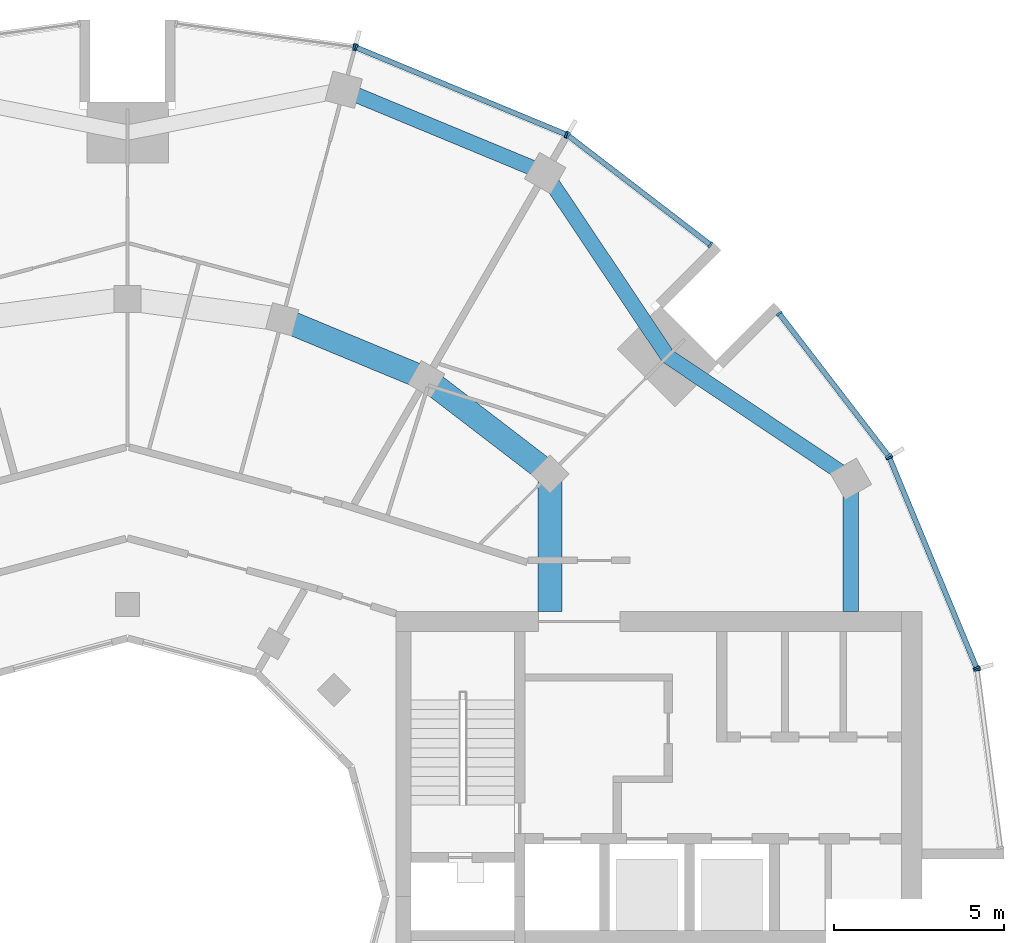
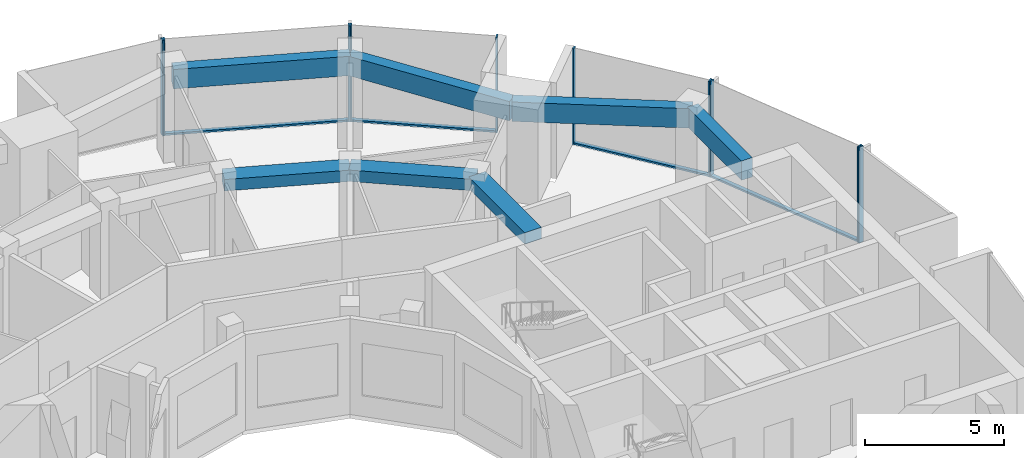
# One storey, part 6 of 15: 14 members, 7 beams, 6 elements without a shape of their own.
"""IFC4 building model written with IfcOpenShell, lengths in metres."""

import ifcopenshell
import ifcopenshell.guid

model = None  # the IFC model being written
_history = None  # IfcOwnerHistory: only IFC2X3 demands one
_inside = {}  # id of a spatial element -> (the spatial element, [elements in it])
_under = {}  # id of a project, library or spatial element -> (it, [spatial elements below it])
_declared = {}  # id of a project -> (the project, [libraries it declares])
_typed = {}  # id of a type object -> (the type object, [elements of that type])
_made_of = {}  # id of a material, layer set ... -> (it, [elements and type objects made of it])


def new_model(schema):
    """Start an empty IFC model of exactly this schema.

    Asked for "IFC4X3", IfcOpenShell would pick the latest addendum, in which some entities
    have other attributes; the version numbers below select the first issue.
    IFC2X3 requires an IfcOwnerHistory on every rooted entity: one is made here for all.
    """
    global model, _history
    if schema == "IFC4X3":
        model = ifcopenshell.file(schema_version=(4, 3, 0, 0))
    else:
        model = ifcopenshell.file(schema=schema)
    _inside.clear()
    _under.clear()
    _declared.clear()
    _typed.clear()
    _made_of.clear()
    _history = None
    if model.schema == "IFC2X3":
        org = make("IfcOrganization", Name="unknown")
        user = make(
            "IfcPersonAndOrganization",
            ThePerson=make("IfcPerson", FamilyName="unknown"),
            TheOrganization=org,
        )
        app = make(
            "IfcApplication",
            ApplicationDeveloper=org,
            Version="unknown",
            ApplicationFullName="unknown",
            ApplicationIdentifier="unknown",
        )
        _history = make(
            "IfcOwnerHistory",
            OwningUser=user,
            OwningApplication=app,
            ChangeAction="ADDED",
            CreationDate=0,
        )
    return model


def make(cls, **values):
    """One entity of the class cls with the attributes given. An attribute that is None is left unset."""
    return model.create_entity(
        cls, **{name: value for name, value in values.items() if value is not None}
    )


def rooted(cls, **values):
    """An entity with a GlobalId (a new one), such as an element, a storey or a relation."""
    return make(cls, GlobalId=ifcopenshell.guid.new(), OwnerHistory=_history, **values)


def si_unit(unit_type, name, prefix=None):
    """IfcSIUnit, for example si_unit("LENGTHUNIT", "METRE", prefix="MILLI")."""
    return make("IfcSIUnit", UnitType=unit_type, Prefix=prefix, Name=name)


def assignment(units):
    """IfcUnitAssignment: the units of a project."""
    return None if units is None else make("IfcUnitAssignment", Units=units)


def point(xyz):
    """IfcCartesianPoint."""
    return None if xyz is None else make("IfcCartesianPoint", Coordinates=xyz)


def direction(xyz):
    """IfcDirection."""
    return None if xyz is None else make("IfcDirection", DirectionRatios=xyz)


def frame(location, z_axis=None, x_axis=None):
    """IfcAxis2Placement3D, a coordinate frame: its origin and axes. An axis left out is left unset."""
    return make(
        "IfcAxis2Placement3D",
        Location=point(location),
        Axis=direction(z_axis),
        RefDirection=direction(x_axis),
    )


def frame_2d(location, x_axis=None):
    """IfcAxis2Placement2D, a coordinate frame in the plane: its origin and x axis."""
    return make(
        "IfcAxis2Placement2D", Location=point(location), RefDirection=direction(x_axis)
    )


def origin():
    """The frame at (0, 0, 0) with its axes left unset."""
    return frame((0.0, 0.0, 0.0))


def origin_2d():
    """The frame at (0, 0) in the plane with its x axis left unset."""
    return frame_2d((0.0, 0.0))


def place(relative_to, where):
    """IfcLocalPlacement: puts the frame where relative to a parent placement (None: the world)."""
    return make(
        "IfcLocalPlacement", PlacementRelTo=relative_to, RelativePlacement=where
    )


def context(
    kind, dimensions, precision=None, world=None, true_north=None, identifier=None
):
    """IfcGeometricRepresentationContext, for example the 3D "Model" context."""
    return make(
        "IfcGeometricRepresentationContext",
        ContextIdentifier=identifier,
        ContextType=kind,
        CoordinateSpaceDimension=dimensions,
        Precision=precision,
        WorldCoordinateSystem=world,
        TrueNorth=true_north,
    )


def subcontext(parent, identifier, kind, view, scale=None):
    """IfcGeometricRepresentationSubContext, for example "Body" below "Model"."""
    return make(
        "IfcGeometricRepresentationSubContext",
        ContextIdentifier=identifier,
        ContextType=kind,
        ParentContext=parent,
        TargetScale=scale,
        TargetView=view,
    )


def project(units=None, contexts=None):
    """IfcProject with its units and contexts."""
    return rooted(
        "IfcProject",
        Name="project",
        RepresentationContexts=contexts,
        UnitsInContext=assignment(units),
    )


def spatial(cls, under=None, at=None, **own):
    """A site, building, storey or space (cls), placed at a placement, below another one or the project."""
    s = rooted(cls, ObjectPlacement=at, **own)
    if under is not None:
        _under.setdefault(under.id(), (under, []))[1].append(s)
    return s


def profile(cls, at=None, kind="AREA", **sizes):
    """A parametric profile (cls). Its sizes go by their IFC names, for example OverallWidth=200.0."""
    return make(cls, ProfileType=kind, Position=at, **sizes)


def rectangle(**sizes):
    """IfcRectangleProfileDef."""
    return profile("IfcRectangleProfileDef", **sizes)


def extrude(swept, where, along, depth):
    """IfcExtrudedAreaSolid: the profile swept, set in the frame where, extruded along a direction by depth."""
    return make(
        "IfcExtrudedAreaSolid",
        SweptArea=swept,
        Position=where,
        ExtrudedDirection=direction(along),
        Depth=depth,
    )


def shape(context_of_items, identifier, shape_type, items):
    """IfcShapeRepresentation: the items that make up one representation, for example the "Body"."""
    return make(
        "IfcShapeRepresentation",
        ContextOfItems=context_of_items,
        RepresentationIdentifier=identifier,
        RepresentationType=shape_type,
        Items=items,
    )


def material(Name=None, Category=None):
    """IfcMaterial."""
    return make("IfcMaterial", Name=Name, Category=Category)


def layer(
    of_material, thickness, ventilated=None, Name=None, Category=None, Priority=None
):
    """IfcMaterialLayer: one layer of a wall or slab, of a material (None: an air gap)."""
    return make(
        "IfcMaterialLayer",
        Material=of_material,
        LayerThickness=thickness,
        IsVentilated=ventilated,
        Name=Name,
        Category=Category,
        Priority=Priority,
    )


def layer_set(layers, Name=None):
    """IfcMaterialLayerSet."""
    return make("IfcMaterialLayerSet", MaterialLayers=layers, LayerSetName=Name)


def material_profile(
    of_material, cross_section, Name=None, Category=None, Priority=None
):
    """IfcMaterialProfile: a cross section and its material."""
    return make(
        "IfcMaterialProfile",
        Name=Name,
        Material=of_material,
        Profile=cross_section,
        Priority=Priority,
        Category=Category,
    )


def profile_set(profiles, Name=None, composite=None):
    """IfcMaterialProfileSet."""
    return make(
        "IfcMaterialProfileSet",
        Name=Name,
        MaterialProfiles=profiles,
        CompositeProfile=composite,
    )


def made_of(thing, what):
    """Note that an element or type object is made of a material, layer set ...; save() writes the relation."""
    if what is not None:
        _made_of.setdefault(what.id(), (what, []))[1].append(thing)
    return thing


def type_object(cls, material=None, **own):
    """A type object (cls), such as IfcWallType, which elements share."""
    return made_of(rooted(cls, **own), material)


def element(
    cls,
    number,
    at=None,
    inside=None,
    cuts=None,
    type_object=None,
    material=None,
    context=None,
    identifier="Body",
    shape_type=None,
    held_by="IfcProductDefinitionShape",
    body=None,
    shapes=None,
    **own,
):
    """One element of the class cls, such as IfcWall. Its Tag is "e" and its number.

    at: its placement. inside: the storey or other place that contains it. cuts: it is an
    opening in that element (IfcRelVoidsElement). A single representation is given by context,
    identifier, shape_type and body (its items); several are given by shapes. held_by: the class
    of the entity that holds the representations. save() writes the other relations.
    """
    e = rooted(cls, Tag="e%d" % number, ObjectPlacement=at, **own)
    if body is not None:
        shapes = [shape(context, identifier, shape_type, body)]
    if shapes is not None:
        e.Representation = make(held_by, Representations=shapes)
    if inside is not None:
        _inside.setdefault(inside.id(), (inside, []))[1].append(e)
    if cuts is not None:
        rooted(
            "IfcRelVoidsElement", RelatingBuildingElement=cuts, RelatedOpeningElement=e
        )
    if type_object is not None:
        _typed.setdefault(type_object.id(), (type_object, []))[1].append(e)
    return made_of(e, material)


def aggregate(whole, parts):
    """IfcRelAggregates: a whole, such as a stair, and the parts it consists of."""
    return rooted("IfcRelAggregates", RelatingObject=whole, RelatedObjects=parts)


def save(model, path):
    """Write the relations noted so far, then the file.

    IfcRelAggregates (storeys below a building ...), IfcRelContainedInSpatialStructure (elements
    in a storey), IfcRelDefinesByType, IfcRelAssociatesMaterial and IfcRelDeclares: one each for
    every whole, place, type object, material and project.
    """
    for whole, parts in _under.values():
        aggregate(whole, parts)
    for where, things in _inside.values():
        rooted(
            "IfcRelContainedInSpatialStructure",
            RelatedElements=things,
            RelatingStructure=where,
        )
    for kind, things in _typed.values():
        rooted("IfcRelDefinesByType", RelatedObjects=things, RelatingType=kind)
    for what, things in _made_of.values():
        rooted("IfcRelAssociatesMaterial", RelatedObjects=things, RelatingMaterial=what)
    for by, libraries in _declared.values():
        rooted("IfcRelDeclares", RelatingContext=by, RelatedDefinitions=libraries)
    model.write(path)


model = new_model("IFC4")

# Units and contexts
model_context = context("Model", 3, precision=1e-05, world=origin(), true_north=direction((0.0, 1.0)))
body_context = subcontext(model_context, "Body", "Model", "MODEL_VIEW")
ifc_project = project(units=[si_unit("LENGTHUNIT", "METRE"), si_unit("AREAUNIT", "SQUARE_METRE"), si_unit("VOLUMEUNIT", "CUBIC_METRE"), si_unit("PLANEANGLEUNIT", "RADIAN"), si_unit("MASSUNIT", "GRAM", prefix="KILO")], contexts=[model_context])

# Site, building, storey
site_placement = place(None, origin())
site = spatial("IfcSite", under=ifc_project, at=site_placement, CompositionType="ELEMENT")
building_placement = place(site_placement, origin())
building = spatial("IfcBuilding", under=site, at=building_placement, Name="Torre Brocal", CompositionType="ELEMENT")
storey_placement = place(building_placement, frame((0.0, 0.0, 258.300048828125)))
storey = spatial("IfcBuildingStorey", under=building, at=storey_placement, Name="L59", CompositionType="ELEMENT", Elevation=258.300048828125)

# Curtain wall, members
ifc_material_1 = material(Name="Aluminium and glass", Category="aluminium")
ifc_layer_1 = layer(ifc_material_1, 0.199951171875)
ifc_layer_set_1 = layer_set([ifc_layer_1], Name="Aluminium and glass")
curtain_wall_type_1 = type_object("IfcCurtainWallType", Name="CW-1 CURTAIN WALL 4200 HIGH", PredefinedType="NOTDEFINED", material=ifc_layer_set_1)
curtain_wall_1_placement = place(storey_placement, origin())
curtain_wall_1 = element("IfcCurtainWall", 1, at=curtain_wall_1_placement, inside=storey, type_object=curtain_wall_type_1, Name="CW-1 RUN 2", PredefinedType="NOTDEFINED")
ifc_material_2 = material(Name="Aluminium, dark anodised", Category="aluminium")
ifc_material_profile_1 = material_profile(ifc_material_2, rectangle(XDim=0.199951171875, YDim=0.06005859375, at=origin_2d()), Name="CW-1 MULLION 60X200")
ifc_profile_set_1 = profile_set([ifc_material_profile_1], Name="Aluminium, dark anodised")
member_type_1 = type_object("IfcMemberType", Name="CW-1 MULLION 60X200", PredefinedType="MULLION", material=ifc_profile_set_1)
member_1_placement = place(storey_placement, frame((105.005126953125, 81.73095703125, 0.0), z_axis=(0.0, 0.0, 1.0), x_axis=(-0.923879532525, -0.382683432333, 0.0)))
member_1 = element("IfcMember", 2, at=member_1_placement, type_object=member_type_1, Name="CW1-5 mullion 1", PredefinedType="MULLION", context=body_context, shape_type="SweptSolid", body=[
    extrude(rectangle(XDim=0.199951171875, YDim=0.06005859375, at=origin_2d()), origin(), (0.0, 0.0, 1.0), 4.199951171875),
])
member_2_placement = place(storey_placement, frame((102.440673828125, 87.921875, 0.0), z_axis=(0.0, 0.0, 1.0), x_axis=(-0.923879532525, -0.382683432333, 0.0)))
member_2 = element("IfcMember", 3, at=member_2_placement, type_object=member_type_1, Name="CW1-5 mullion 2", PredefinedType="MULLION", context=body_context, shape_type="SweptSolid", body=[
    extrude(rectangle(XDim=0.199951171875, YDim=0.06005859375, at=origin_2d()), origin(), (0.0, 0.0, 1.0), 4.199951171875),
])

curtain_wall_2_placement = place(storey_placement, origin())
curtain_wall_2 = element("IfcCurtainWall", 4, at=curtain_wall_2_placement, inside=storey, type_object=curtain_wall_type_1, Name="CW-1 RUN 3", PredefinedType="NOTDEFINED")
member_3_placement = place(storey_placement, frame((102.4111328125, 87.973388671875, 0.0), z_axis=(0.0, 0.0, 1.0), x_axis=(-0.793353340259, -0.60876142905, 0.0)))
member_3 = element("IfcMember", 5, at=member_3_placement, type_object=member_type_1, Name="CW1-5 mullion 1", PredefinedType="MULLION", context=body_context, shape_type="SweptSolid", body=[
    extrude(rectangle(XDim=0.199951171875, YDim=0.06005859375, at=origin_2d()), origin(), (0.0, 0.0, 1.0), 4.199951171875),
])
member_4_placement = place(storey_placement, frame((99.19140625, 92.16943359375, 0.0), z_axis=(0.0, 0.0, 1.0), x_axis=(-0.793353340259, -0.60876142905, 0.0)))
member_4 = element("IfcMember", 6, at=member_4_placement, type_object=member_type_1, Name="CW1-5 mullion 2", PredefinedType="MULLION", context=body_context, shape_type="SweptSolid", body=[
    extrude(rectangle(XDim=0.199951171875, YDim=0.06005859375, at=origin_2d()), origin(), (0.0, 0.0, 1.0), 4.199951171875),
])

curtain_wall_3_placement = place(storey_placement, origin())
curtain_wall_3 = element("IfcCurtainWall", 7, at=curtain_wall_3_placement, inside=storey, type_object=curtain_wall_type_1, Name="CW-1 RUN 4", PredefinedType="NOTDEFINED")
member_5_placement = place(storey_placement, frame((97.16943359375, 94.19140625, 0.0), z_axis=(0.0, 0.0, 1.0), x_axis=(-0.60876142905, -0.793353340259, 0.0)))
member_5 = element("IfcMember", 8, at=member_5_placement, type_object=member_type_1, Name="CW1-5 mullion 1", PredefinedType="MULLION", context=body_context, shape_type="SweptSolid", body=[
    extrude(rectangle(XDim=0.199951171875, YDim=0.06005859375, at=origin_2d()), origin(), (0.0, 0.0, 1.0), 4.199951171875),
])
member_6_placement = place(storey_placement, frame((92.973388671875, 97.4111328125, 0.0), z_axis=(0.0, 0.0, 1.0), x_axis=(-0.60876142905, -0.793353340259, 0.0)))
member_6 = element("IfcMember", 9, at=member_6_placement, type_object=member_type_1, Name="CW1-5 mullion 2", PredefinedType="MULLION", context=body_context, shape_type="SweptSolid", body=[
    extrude(rectangle(XDim=0.199951171875, YDim=0.06005859375, at=origin_2d()), origin(), (0.0, 0.0, 1.0), 4.199951171875),
])

curtain_wall_4_placement = place(storey_placement, origin())
curtain_wall_4 = element("IfcCurtainWall", 10, at=curtain_wall_4_placement, inside=storey, type_object=curtain_wall_type_1, Name="CW-1 RUN 5", PredefinedType="NOTDEFINED")
member_7_placement = place(storey_placement, frame((92.921875, 97.440673828125, 0.0), z_axis=(0.0, 0.0, 1.0), x_axis=(-0.382683432333, -0.923879532525, 0.0)))
member_7 = element("IfcMember", 11, at=member_7_placement, type_object=member_type_1, Name="CW1-5 mullion 1", PredefinedType="MULLION", context=body_context, shape_type="SweptSolid", body=[
    extrude(rectangle(XDim=0.199951171875, YDim=0.06005859375, at=origin_2d()), origin(), (0.0, 0.0, 1.0), 4.199951171875),
])
member_8_placement = place(storey_placement, frame((86.73095703125, 100.005126953125, 0.0), z_axis=(0.0, 0.0, 1.0), x_axis=(-0.382683432333, -0.923879532525, 0.0)))
member_8 = element("IfcMember", 12, at=member_8_placement, type_object=member_type_1, Name="CW1-5 mullion 2", PredefinedType="MULLION", context=body_context, shape_type="SweptSolid", body=[
    extrude(rectangle(XDim=0.199951171875, YDim=0.06005859375, at=origin_2d()), origin(), (0.0, 0.0, 1.0), 4.199951171875),
])

# Curtain wall, member
curtain_wall_5_placement = place(storey_placement, origin())
curtain_wall_5 = element("IfcCurtainWall", 13, at=curtain_wall_5_placement, inside=storey, type_object=curtain_wall_type_1, Name="CW-1 RUN 6", PredefinedType="NOTDEFINED")
member_9_placement = place(storey_placement, frame((86.67333984375, 100.0205078125, 0.0), z_axis=(0.0, 0.0, 1.0), x_axis=(-0.13052619222, -0.991444861374, 0.0)))
member_9 = element("IfcMember", 14, at=member_9_placement, type_object=member_type_1, Name="CW1-5 mullion 1", PredefinedType="MULLION", context=body_context, shape_type="SweptSolid", body=[
    extrude(rectangle(XDim=0.199951171875, YDim=0.06005859375, at=origin_2d()), origin(), (0.0, 0.0, 1.0), 4.199951171875),
])
aggregate(curtain_wall_5, [member_9])

# Member
ifc_material_3 = material(Name="Aluminium, dark anodised", Category="aluminium")
ifc_material_profile_2 = material_profile(ifc_material_3, rectangle(XDim=0.159912109375, YDim=0.080078125, at=origin_2d()), Name="CW-1 TRANSOM 160X80")
ifc_profile_set_2 = profile_set([ifc_material_profile_2], Name="Aluminium, dark anodised")
member_type_2 = type_object("IfcMemberType", Name="CW-1 TRANSOM 160X80", PredefinedType="USERDEFINED", material=ifc_profile_set_2)
member_10_placement = place(storey_placement, frame((104.99365234375, 81.758544921875, 0.0400390625), z_axis=(-0.38266457234, 0.923887344364, 0.0), x_axis=(-0.923887344364, -0.38266457234, 0.0)))
member_10 = element("IfcMember", 15, at=member_10_placement, type_object=member_type_2, Name="CW1-5 transom 1.1", ObjectType="TRANSOM", PredefinedType="USERDEFINED", context=body_context, shape_type="SweptSolid", body=[
    extrude(rectangle(XDim=0.159912109375, YDim=0.080078125, at=origin_2d()), origin(), (0.0, 0.0, 1.0), 6.640869140625),
])

aggregate(curtain_wall_1, [member_1, member_2, member_10])

member_11_placement = place(storey_placement, frame((102.392822265625, 87.9970703125, 0.0400390625), z_axis=(-0.60874908096, 0.79336281513, 0.0), x_axis=(-0.79336281513, -0.60874908096, 0.0)))
member_11 = element("IfcMember", 16, at=member_11_placement, type_object=member_type_2, Name="CW1-5 transom 1.1", ObjectType="TRANSOM", PredefinedType="USERDEFINED", context=body_context, shape_type="SweptSolid", body=[
    extrude(rectangle(XDim=0.159912109375, YDim=0.080078125, at=origin_2d()), origin(), (0.0, 0.0, 1.0), 5.22900390625),
])

aggregate(curtain_wall_2, [member_3, member_4, member_11])

member_12_placement = place(storey_placement, frame((97.1455078125, 94.209716796875, 0.0400390625), z_axis=(-0.79336281513, 0.60874908096, 0.0), x_axis=(-0.60874908096, -0.79336281513, 0.0)))
member_12 = element("IfcMember", 17, at=member_12_placement, type_object=member_type_2, Name="CW1-5 transom 1.1", ObjectType="TRANSOM", PredefinedType="USERDEFINED", context=body_context, shape_type="SweptSolid", body=[
    extrude(rectangle(XDim=0.159912109375, YDim=0.080078125, at=origin_2d()), origin(), (0.0, 0.0, 1.0), 5.22900390625),
])

aggregate(curtain_wall_3, [member_5, member_6, member_12])

member_13_placement = place(storey_placement, frame((92.89404296875, 97.452392578125, 0.0400390625), z_axis=(-0.923887344364, 0.38266457234, 0.0), x_axis=(-0.38266457234, -0.923887344364, 0.0)))
member_13 = element("IfcMember", 18, at=member_13_placement, type_object=member_type_2, Name="CW1-5 transom 1.1", ObjectType="TRANSOM", PredefinedType="USERDEFINED", context=body_context, shape_type="SweptSolid", body=[
    extrude(rectangle(XDim=0.159912109375, YDim=0.080078125, at=origin_2d()), origin(), (0.0, 0.0, 1.0), 6.640869140625),
])

aggregate(curtain_wall_4, [member_7, member_8, member_13])

# Curtain wall, member
ifc_material_4 = material(Name="Aluminium and glass", Category="aluminium")
ifc_layer_2 = layer(ifc_material_4, 0.199951171875)
ifc_layer_set_2 = layer_set([ifc_layer_2], Name="Aluminium and glass")
curtain_wall_type_2 = type_object("IfcCurtainWallType", Name="CW-1B CURTAIN WALL 4200 HIGH", PredefinedType="NOTDEFINED", material=ifc_layer_set_2)
curtain_wall_6_placement = place(storey_placement, origin())
curtain_wall_6 = element("IfcCurtainWall", 19, at=curtain_wall_6_placement, inside=storey, type_object=curtain_wall_type_2, Name="CW-1B RUN 1", PredefinedType="NOTDEFINED")
ifc_material_5 = material(Name="Aluminium, dark anodised", Category="aluminium")
ifc_material_profile_3 = material_profile(ifc_material_5, rectangle(XDim=0.199951171875, YDim=0.06005859375, at=origin_2d()), Name="CW-1B MULLION 60X200")
ifc_profile_set_3 = profile_set([ifc_material_profile_3], Name="Aluminium, dark anodised")
member_type_3 = type_object("IfcMemberType", Name="CW-1B MULLION 60X200", PredefinedType="MULLION", material=ifc_profile_set_3)
member_14_placement = place(storey_placement, frame((105.0205078125, 81.67333984375, 0.0), z_axis=(0.0, 0.0, 1.0), x_axis=(-0.991444861374, -0.13052619222, 0.0)))
member_14 = element("IfcMember", 20, at=member_14_placement, type_object=member_type_3, Name="CW1B-5 mullion 2", PredefinedType="MULLION", context=body_context, shape_type="SweptSolid", body=[
    extrude(rectangle(XDim=0.199951171875, YDim=0.06005859375, at=origin_2d()), origin(), (0.0, 0.0, 1.0), 4.199951171875),
])
aggregate(curtain_wall_6, [member_14])

# Beams
ifc_material_6 = material(Name="Concrete C50", Category="concrete")
ifc_material_profile_4 = material_profile(ifc_material_6, rectangle(XDim=0.699951171875, YDim=0.5, at=origin_2d()), Name="RC 700X500")
ifc_profile_set_4 = profile_set([ifc_material_profile_4], Name="Concrete C50")
beam_type_1 = type_object("IfcBeamType", Name="RC BEAM 700X500 C50 TOP 3880", PredefinedType="BEAM", material=ifc_profile_set_4)
beam_1_placement = place(storey_placement, frame((92.445068359375, 87.445068359375, 3.6298828125), z_axis=(-0.793358265959, 0.6087550097, 0.0), x_axis=(-0.6087550097, -0.793358265959, 0.0)))
element("IfcBeam", 21, at=beam_1_placement, inside=storey, type_object=beam_type_1, Name="Beam BT-37", PredefinedType="BEAM", context=body_context, shape_type="SweptSolid", body=[
    extrude(rectangle(XDim=0.699951171875, YDim=0.5, at=origin_2d()), origin(), (0.0, 0.0, 1.0), 4.594482421875),
])
beam_2_placement = place(storey_placement, frame((88.800048828125, 90.241943359375, 3.6298828125), z_axis=(-0.923878240166, 0.382686552348, 0.0), x_axis=(-0.382686552348, -0.923878240166, 0.0)))
element("IfcBeam", 22, at=beam_2_placement, inside=storey, type_object=beam_type_1, Name="Beam BT-37", PredefinedType="BEAM", context=body_context, shape_type="SweptSolid", body=[
    extrude(rectangle(XDim=0.699951171875, YDim=0.5, at=origin_2d()), origin(), (0.0, 0.0, 1.0), 4.5947265625),
])
beam_3_placement = place(storey_placement, frame((92.445068359375, 87.445068359375, 3.6298828125), z_axis=(0.0, -1.0, 0.0), x_axis=(1.0, 0.0, 0.0)))
element("IfcBeam", 23, at=beam_3_placement, inside=storey, type_object=beam_type_1, Name="Beam BT-37", PredefinedType="BEAM", context=body_context, shape_type="SweptSolid", body=[
    extrude(rectangle(XDim=0.699951171875, YDim=0.5, at=origin_2d()), origin(), (0.0, 0.0, 1.0), 4.045166015625),
])
ifc_material_7 = material(Name="Concrete C50", Category="concrete")
ifc_material_profile_5 = material_profile(ifc_material_7, rectangle(XDim=0.449951171875, YDim=0.85009765625, at=origin_2d()), Name="RC 450X850")
ifc_profile_set_5 = profile_set([ifc_material_profile_5], Name="Concrete C50")
beam_type_2 = type_object("IfcBeamType", Name="RC SPANDREL BEAM 450X850 C50 TOP 3880", PredefinedType="SPANDREL", material=ifc_profile_set_5)
for number, where, z_axis, x_axis, name in (
    (24, (101.30419921875, 87.300048828125, 3.454833984375), (-0.831076844476, 0.556157602282, 0.0), (-0.556157602282, -0.831076844476, 0.0), "Beam BT-38"),
    (25, (95.909912109375, 90.909912109375, 3.454833984375), (-0.556157602282, 0.831076844476, 0.0), (-0.831076844476, -0.556157602282, 0.0), "Beam BT-38"),
):
    element("IfcBeam", number, at=place(storey_placement, frame(where, z_axis=z_axis, x_axis=x_axis)), inside=storey, type_object=beam_type_2, Name=name, PredefinedType="SPANDREL", context=body_context, shape_type="SweptSolid", body=[
        extrude(rectangle(XDim=0.449951171875, YDim=0.85009765625, at=origin_2d()), origin(), (0.0, 0.0, 1.0), 6.49072265625),
    ])
beam_4_placement = place(storey_placement, frame((92.300048828125, 96.30419921875, 3.454833984375), z_axis=(-0.923882462513, 0.382676358639, 0.0), x_axis=(-0.382676358639, -0.923882462513, 0.0)))
element("IfcBeam", 26, at=beam_4_placement, inside=storey, type_object=beam_type_2, Name="Beam BT-38", PredefinedType="SPANDREL", context=body_context, shape_type="SweptSolid", body=[
    extrude(rectangle(XDim=0.449951171875, YDim=0.85009765625, at=origin_2d()), origin(), (0.0, 0.0, 1.0), 6.421875),
])
beam_5_placement = place(storey_placement, frame((101.30419921875, 87.300048828125, 3.454833984375), z_axis=(0.0, -1.0, 0.0), x_axis=(1.0, 0.0, 0.0)))
element("IfcBeam", 27, at=beam_5_placement, inside=storey, type_object=beam_type_2, Name="Beam BT-38", PredefinedType="SPANDREL", context=body_context, shape_type="SweptSolid", body=[
    extrude(rectangle(XDim=0.449951171875, YDim=0.85009765625, at=origin_2d()), origin(), (0.0, 0.0, 1.0), 3.900146484375),
])

save(model, "model.ifc")
